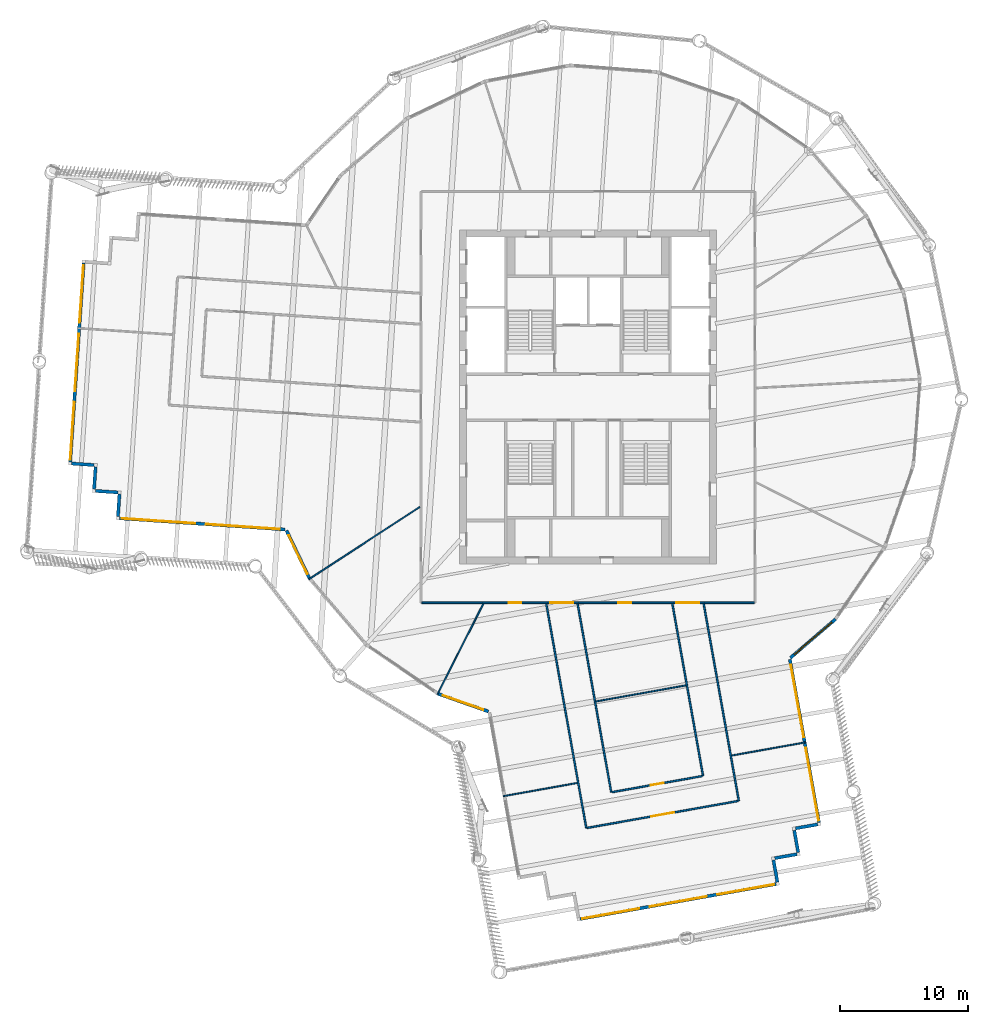
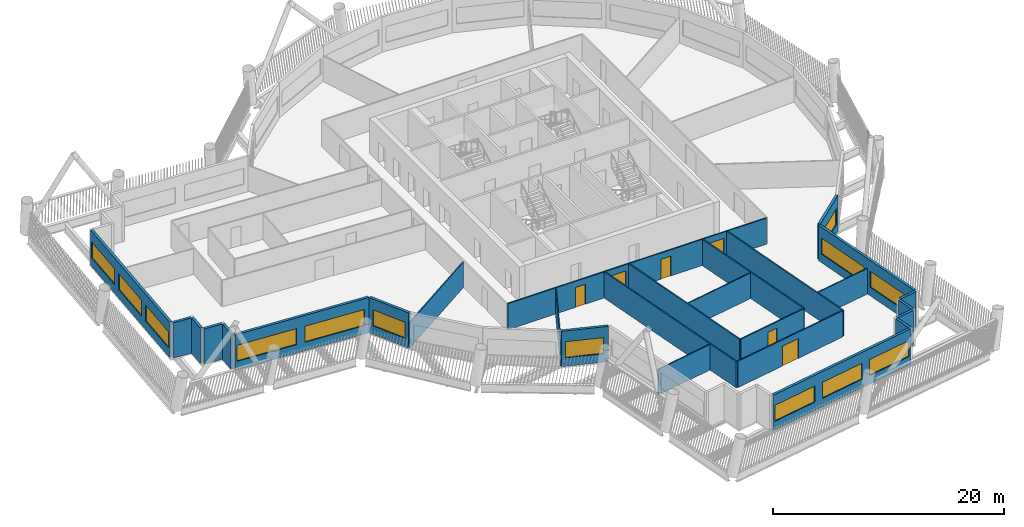
# One storey, part 3 of 22: 27 walls, 13 windows, 6 doors, 19 openings.
"""IFC4 building model written with IfcOpenShell, lengths in metres."""

from ifc_helpers import new_model, si_unit, direction, frame, frame_2d, origin, place, context, subcontext, project, spatial, rectangle, extrude, material, layer, layer_set, type_object, element, fill, save


model = new_model("IFC4")

# Units and contexts
model_context = context("Model", 3, precision=1e-05, world=origin(), true_north=direction((0.0, 1.0)))
body_context = subcontext(model_context, "Body", "Model", "MODEL_VIEW")
ifc_project = project(units=[si_unit("LENGTHUNIT", "METRE"), si_unit("AREAUNIT", "SQUARE_METRE"), si_unit("VOLUMEUNIT", "CUBIC_METRE"), si_unit("PLANEANGLEUNIT", "RADIAN"), si_unit("MASSUNIT", "GRAM", prefix="KILO")], contexts=[model_context])

# Site, building, storey
site_placement = place(None, origin())
site = spatial("IfcSite", under=ifc_project, at=site_placement, CompositionType="ELEMENT")
building_placement = place(site_placement, origin())
building = spatial("IfcBuilding", under=site, at=building_placement, Name="Tarsis Ring Headquarters", CompositionType="ELEMENT")
storey_placement = place(building_placement, frame((0.0, 0.0, 270.800048828125)))
storey = spatial("IfcBuildingStorey", under=building, at=storey_placement, Name="L63", CompositionType="ELEMENT", Elevation=270.800048828125)

# Walls
ifc_material_1 = material(Name="Gypsum board on steel studs", Category="steel")
ifc_layer_1 = layer(ifc_material_1, 0.10009765625)
ifc_layer_set_1 = layer_set([ifc_layer_1], Name="FL partition 100 unrated")
wall_type_1 = type_object("IfcWallType", Name="FL partition 100 unrated", PredefinedType="PARTITIONING", material=ifc_layer_set_1)
wall_1_placement = place(storey_placement, frame((-21.73193359375, -14.177734375, 0.0), z_axis=(0.0, 0.0, 1.0), x_axis=(0.837523569365, 0.546401199448, 0.0)))
element("IfcWall", 1, at=wall_1_placement, inside=storey, type_object=wall_type_1, Name="Partition PW3", PredefinedType="PARTITIONING", context=body_context, shape_type="SweptSolid", body=[
    extrude(rectangle(XDim=10.325927734375, YDim=0.10009765625, at=frame_2d((5.1630859375, 0.0))), origin(), (0.0, 0.0, 1.0), 2.699951171875),
])
wall_2_placement = place(storey_placement, frame((-11.731689453125, -23.144287109375, 0.0), z_axis=(0.0, 0.0, 1.0), x_axis=(0.452139110201, 0.891947434004, 0.0)))
element("IfcWall", 2, at=wall_2_placement, inside=storey, type_object=wall_type_1, Name="Partition PW3", PredefinedType="PARTITIONING", context=body_context, shape_type="SweptSolid", body=[
    extrude(rectangle(XDim=7.919677734375, YDim=0.10009765625, at=frame_2d((3.9599609375, 0.0))), origin(), (0.0, 0.0, 1.0), 2.699951171875),
])
wall_3_placement = place(storey_placement, frame((0.610595703125, -23.68115234375, 0.0), z_axis=(0.0, 0.0, 1.0), x_axis=(0.984444101198, 0.175698069472, 0.0)))
element("IfcWall", 3, at=wall_3_placement, inside=storey, type_object=wall_type_1, Name="Partition PW3", PredefinedType="PARTITIONING", context=body_context, shape_type="SweptSolid", body=[
    extrude(rectangle(XDim=7.1201171875, YDim=0.10009765625, at=frame_2d((3.56005859375, 0.0))), origin(), (0.0, 0.0, 1.0), 2.699951171875),
])
for number, where, z_axis, x_axis, name in (
    (4, (-6.596435546875, -31.05224609375, 0.0), (0.0, 0.0, 1.0), (0.98444433653, 0.175696750892, 0.0), "Partition PW3"),
    (5, (11.174560546875, -27.890380859375, 0.0), (0.0, 0.0, 1.0), (0.98444433653, 0.175696750892, 0.0), "Partition PW3"),
):
    element("IfcWall", number, at=place(storey_placement, frame(where, z_axis=z_axis, x_axis=x_axis)), inside=storey, type_object=wall_type_1, Name=name, PredefinedType="PARTITIONING", context=body_context, shape_type="SweptSolid", body=[
        extrude(rectangle(XDim=5.85009765625, YDim=0.10009765625, at=frame_2d((2.925048828125, 0.0))), origin(), (0.0, 0.0, 1.0), 2.699951171875),
    ])

# Wall, openings, doors
ifc_layer_2 = layer(ifc_material_1, 0.125)
ifc_layer_set_2 = layer_set([ifc_layer_2], Name="FL partition 125 EI 60 H2770")
wall_type_2 = type_object("IfcWallType", Name="FL partition 125 EI 60 H2770", PredefinedType="PARTITIONING", material=ifc_layer_set_2)
wall_4_placement = place(storey_placement, frame((-12.93994140625, -16.0, 0.0), z_axis=(0.0, 0.0, 1.0), x_axis=(1.0, 0.0, 0.0)))
wall_4 = element("IfcWall", 6, at=wall_4_placement, inside=storey, type_object=wall_type_2, Name="Partition PW1", PredefinedType="PARTITIONING", context=body_context, shape_type="SweptSolid", body=[
    extrude(rectangle(XDim=25.8798828125, YDim=0.125, at=frame_2d((12.93994140625, 0.0))), origin(), (0.0, 0.0, 1.0), 2.77001953125),
])
opening_1_placement = place(wall_4_placement, frame((6.75, 0.0, 0.0)))
opening_1 = element("IfcOpeningElement", 7, at=opening_1_placement, cuts=wall_4, Name="Opening D63.10", PredefinedType="OPENING", context=body_context, shape_type="SweptSolid", body=[
    extrude(rectangle(XDim=1.0, YDim=2.10009765625, at=frame_2d((0.5, 1.050048828125))), frame((0.0, 0.072509765625, 0.0), z_axis=(0.0, -1.0, 0.0), x_axis=(1.0, 0.0, 0.0)), (0.0, 0.0, 1.0), 0.14501953125),
])
opening_2_placement = place(wall_4_placement, frame((15.2958984375, 0.0, 0.0)))
opening_2 = element("IfcOpeningElement", 8, at=opening_2_placement, cuts=wall_4, Name="Opening D63.14", PredefinedType="OPENING", context=body_context, shape_type="SweptSolid", body=[
    extrude(rectangle(XDim=1.0, YDim=2.10009765625, at=frame_2d((0.5, 1.050048828125))), frame((0.0, 0.072509765625, 0.0), z_axis=(0.0, -1.0, 0.0), x_axis=(1.0, 0.0, 0.0)), (0.0, 0.0, 1.0), 0.14501953125),
])
opening_3_placement = place(wall_4_placement, frame((9.989501953125, 0.0, 0.0)))
opening_3 = element("IfcOpeningElement", 9, at=opening_3_placement, cuts=wall_4, Name="Opening D63.16", PredefinedType="OPENING", context=body_context, shape_type="SweptSolid", body=[
    extrude(rectangle(XDim=1.800048828125, YDim=2.10009765625, at=frame_2d((0.89990234375, 1.050048828125))), frame((0.0, 0.072509765625, 0.0), z_axis=(0.0, -1.0, 0.0), x_axis=(1.0, 0.0, 0.0)), (0.0, 0.0, 1.0), 0.14501953125),
])
opening_4_placement = place(wall_4_placement, frame((19.802001953125, 0.0, 0.0)))
opening_4 = element("IfcOpeningElement", 10, at=opening_4_placement, cuts=wall_4, Name="Opening D63.17", PredefinedType="OPENING", context=body_context, shape_type="SweptSolid", body=[
    extrude(rectangle(XDim=1.800048828125, YDim=2.10009765625, at=frame_2d((0.89990234375, 1.050048828125))), frame((0.0, 0.072509765625, 0.0), z_axis=(0.0, -1.0, 0.0), x_axis=(1.0, 0.0, 0.0)), (0.0, 0.0, 1.0), 0.14501953125),
])
ifc_material_2 = material(Name="Fire-rated timber door leaf in steel frame", Category="steel")
door_type_1 = type_object("IfcDoorType", Name="FL door FD60-1000", OperationType="NOTDEFINED", PredefinedType="DOOR", material=ifc_material_2)
door_1_placement = place(opening_1_placement, origin())
door_1 = element("IfcDoor", 11, at=door_1_placement, inside=storey, type_object=door_type_1, Name="Door D63.10", OperationType="SINGLE_SWING_LEFT", OverallHeight=2.10009765625, OverallWidth=1.0, PredefinedType="DOOR", context=body_context, shape_type="SweptSolid", body=[
    extrude(rectangle(XDim=1.0, YDim=2.10009765625, at=frame_2d((0.5, 1.050048828125))), frame((0.0, 0.02490234375, 0.0), z_axis=(0.0, -1.0, 0.0), x_axis=(1.0, 0.0, 0.0)), (0.0, 0.0, 1.0), 0.050048828125),
])
fill(opening_1, door_1)
door_2_placement = place(opening_2_placement, origin())
door_2 = element("IfcDoor", 12, at=door_2_placement, inside=storey, type_object=door_type_1, Name="Door D63.14", OperationType="SINGLE_SWING_LEFT", OverallHeight=2.10009765625, OverallWidth=1.0, PredefinedType="DOOR", context=body_context, shape_type="SweptSolid", body=[
    extrude(rectangle(XDim=1.0, YDim=2.10009765625, at=frame_2d((0.5, 1.050048828125))), frame((0.0, 0.02490234375, 0.0), z_axis=(0.0, -1.0, 0.0), x_axis=(1.0, 0.0, 0.0)), (0.0, 0.0, 1.0), 0.050048828125),
])
fill(opening_2, door_2)
door_type_2 = type_object("IfcDoorType", Name="FL door FD60-1800", OperationType="DOUBLE_DOOR_SINGLE_SWING", PredefinedType="DOOR", material=ifc_material_2)
door_3_placement = place(opening_3_placement, origin())
door_3 = element("IfcDoor", 13, at=door_3_placement, inside=storey, type_object=door_type_2, Name="Door D63.16", OperationType="DOUBLE_DOOR_SINGLE_SWING", OverallHeight=2.10009765625, OverallWidth=1.800048828125, PredefinedType="DOOR", context=body_context, shape_type="SweptSolid", body=[
    extrude(rectangle(XDim=1.800048828125, YDim=2.10009765625, at=frame_2d((0.89990234375, 1.050048828125))), frame((0.0, 0.02490234375, 0.0), z_axis=(0.0, -1.0, 0.0), x_axis=(1.0, 0.0, 0.0)), (0.0, 0.0, 1.0), 0.050048828125),
])
fill(opening_3, door_3)
door_4_placement = place(opening_4_placement, origin())
door_4 = element("IfcDoor", 14, at=door_4_placement, inside=storey, type_object=door_type_2, Name="Door D63.17", OperationType="DOUBLE_DOOR_SINGLE_SWING", OverallHeight=2.10009765625, OverallWidth=1.800048828125, PredefinedType="DOOR", context=body_context, shape_type="SweptSolid", body=[
    extrude(rectangle(XDim=1.800048828125, YDim=2.10009765625, at=frame_2d((0.89990234375, 1.050048828125))), frame((0.0, 0.02490234375, 0.0), z_axis=(0.0, -1.0, 0.0), x_axis=(1.0, 0.0, 0.0)), (0.0, 0.0, 1.0), 0.050048828125),
])
fill(opening_4, door_4)

# Walls
wall_5_placement = place(storey_placement, frame((-3.257080078125, -16.06884765625, 0.0), z_axis=(0.0, 0.0, 1.0), x_axis=(0.175707299203, -0.984442453883, 0.0)))
element("IfcWall", 15, at=wall_5_placement, inside=storey, type_object=wall_type_2, Name="Partition PW1", PredefinedType="PARTITIONING", context=body_context, shape_type="SweptSolid", body=[
    extrude(rectangle(XDim=17.74365234375, YDim=0.125, at=frame_2d((8.871826171875, 0.0))), origin(), (0.0, 0.0, 1.0), 2.77001953125),
])
wall_6_placement = place(storey_placement, frame((8.993408203125, -16.06884765625, 0.0), z_axis=(0.0, 0.0, 1.0), x_axis=(0.17571096803, -0.984441799049, 0.0)))
element("IfcWall", 16, at=wall_6_placement, inside=storey, type_object=wall_type_2, Name="Partition PW1", PredefinedType="PARTITIONING", context=body_context, shape_type="SweptSolid", body=[
    extrude(rectangle(XDim=15.591064453125, YDim=0.125, at=frame_2d((7.79541015625, 0.0))), origin(), (0.0, 0.0, 1.0), 2.77001953125),
])
wall_7_placement = place(storey_placement, frame((-0.8193359375, -16.06884765625, 0.0), z_axis=(0.0, 0.0, 1.0), x_axis=(0.17571698938, -0.984440724291, 0.0)))
element("IfcWall", 17, at=wall_7_placement, inside=storey, type_object=wall_type_2, Name="Partition PW1", PredefinedType="PARTITIONING", context=body_context, shape_type="SweptSolid", body=[
    extrude(rectangle(XDim=14.915283203125, YDim=0.125, at=frame_2d((7.45751953125, 0.0))), origin(), (0.0, 0.0, 1.0), 2.77001953125),
])
wall_8_placement = place(storey_placement, frame((6.555419921875, -16.06884765625, 0.0), z_axis=(0.0, 0.0, 1.0), x_axis=(0.175710602435, -0.984441864303, 0.0)))
element("IfcWall", 18, at=wall_8_placement, inside=storey, type_object=wall_type_2, Name="Partition PW1", PredefinedType="PARTITIONING", context=body_context, shape_type="SweptSolid", body=[
    extrude(rectangle(XDim=13.619384765625, YDim=0.125, at=frame_2d((6.8095703125, 0.0))), origin(), (0.0, 0.0, 1.0), 2.77001953125),
])

# Wall, opening, door
wall_9_placement = place(storey_placement, frame((-0.080322265625, -33.525634765625, 0.0), z_axis=(0.0, 0.0, 1.0), x_axis=(0.984442863146, 0.17570500619, 0.0)))
wall_9 = element("IfcWall", 19, at=wall_9_placement, inside=storey, type_object=wall_type_2, Name="Partition PW1", PredefinedType="PARTITIONING", context=body_context, shape_type="SweptSolid", body=[
    extrude(rectangle(XDim=11.93994140625, YDim=0.125, at=frame_2d((5.969970703125, 0.0))), origin(), (0.0, 0.0, 1.0), 2.77001953125),
])
opening_5_placement = place(wall_9_placement, frame((5.070068359375, 0.0, 0.0)))
opening_5 = element("IfcOpeningElement", 20, at=opening_5_placement, cuts=wall_9, Name="Opening D63.09", PredefinedType="OPENING", context=body_context, shape_type="SweptSolid", body=[
    extrude(rectangle(XDim=1.800048828125, YDim=2.10009765625, at=frame_2d((0.89990234375, 1.050048828125))), frame((0.0, 0.072509765625, 0.0), z_axis=(0.0, -1.0, 0.0), x_axis=(1.0, 0.0, 0.0)), (0.0, 0.0, 1.0), 0.14501953125),
])
door_5_placement = place(opening_5_placement, origin())
door_5 = element("IfcDoor", 21, at=door_5_placement, inside=storey, type_object=door_type_2, Name="Door D63.09", OperationType="DOUBLE_DOOR_SINGLE_SWING", OverallHeight=2.10009765625, OverallWidth=1.800048828125, PredefinedType="DOOR", context=body_context, shape_type="SweptSolid", body=[
    extrude(rectangle(XDim=1.800048828125, YDim=2.10009765625, at=frame_2d((0.89990234375, 1.050048828125))), frame((0.0, 0.02490234375, 0.0), z_axis=(0.0, -1.0, 0.0), x_axis=(1.0, 0.0, 0.0)), (0.0, 0.0, 1.0), 0.050048828125),
])
fill(opening_5, door_5)

wall_10_placement = place(storey_placement, frame((1.860595703125, -30.741455078125, 0.0), z_axis=(0.0, 0.0, 1.0), x_axis=(0.984439830477, 0.175721996833, 0.0)))
wall_10 = element("IfcWall", 22, at=wall_10_placement, inside=storey, type_object=wall_type_2, Name="Partition PW1", PredefinedType="PARTITIONING", context=body_context, shape_type="SweptSolid", body=[
    extrude(rectangle(XDim=7.139892578125, YDim=0.125, at=frame_2d((3.56982421875, 0.0))), origin(), (0.0, 0.0, 1.0), 2.77001953125),
])
opening_6_placement = place(wall_10_placement, frame((3.070068359375, 0.0, 0.0)))
opening_6 = element("IfcOpeningElement", 23, at=opening_6_placement, cuts=wall_10, Name="Opening D63.15", PredefinedType="OPENING", context=body_context, shape_type="SweptSolid", body=[
    extrude(rectangle(XDim=1.0, YDim=2.10009765625, at=frame_2d((0.5, 1.050048828125))), frame((0.0, 0.072509765625, 0.0), z_axis=(0.0, -1.0, 0.0), x_axis=(1.0, 0.0, 0.0)), (0.0, 0.0, 1.0), 0.14501953125),
])
door_6_placement = place(opening_6_placement, origin())
door_6 = element("IfcDoor", 24, at=door_6_placement, inside=storey, type_object=door_type_1, Name="Door D63.15", OperationType="SINGLE_SWING_RIGHT", OverallHeight=2.10009765625, OverallWidth=1.0, PredefinedType="DOOR", context=body_context, shape_type="SweptSolid", body=[
    extrude(rectangle(XDim=1.0, YDim=2.10009765625, at=frame_2d((0.5, 1.050048828125))), frame((0.0, 0.02490234375, 0.0), z_axis=(0.0, -1.0, 0.0), x_axis=(1.0, 0.0, 0.0)), (0.0, 0.0, 1.0), 0.050048828125),
])
fill(opening_6, door_6)

# Wall, openings, windows
ifc_material_3 = material(Name="Terracotta clad insulated panel wall", Category="masonry")
ifc_layer_3 = layer(ifc_material_3, 0.25)
ifc_layer_set_3 = layer_set([ifc_layer_3], Name="Facade wall terracotta panel 250")
wall_type_3 = type_object("IfcWallType", Name="Facade wall terracotta panel 250", PredefinedType="STANDARD", material=ifc_layer_set_3)
wall_11_placement = place(storey_placement, frame((-36.4716796875, -9.4287109375, 0.0), z_axis=(0.0, 0.0, 1.0), x_axis=(0.99770859982, -0.067657592667, 0.0)))
wall_11 = element("IfcWall", 25, at=wall_11_placement, inside=storey, type_object=wall_type_3, Name="External wall L63-01", PredefinedType="STANDARD", context=body_context, shape_type="SweptSolid", body=[
    extrude(rectangle(XDim=12.921875, YDim=0.25, at=frame_2d((6.4609375, 0.0))), origin(), (0.0, 0.0, 1.0), 3.739990234375),
])
opening_7_placement = place(wall_11_placement, frame((0.16796875, 0.0, 0.89990234375)))
opening_7 = element("IfcOpeningElement", 26, at=opening_7_placement, cuts=wall_11, Name="Opening WN06", PredefinedType="OPENING", context=body_context, shape_type="SweptSolid", body=[
    extrude(rectangle(XDim=5.75, YDim=1.699951171875, at=frame_2d((2.875, 0.85009765625))), frame((0.0, 0.135009765625, 0.0), z_axis=(0.0, -1.0, 0.0), x_axis=(1.0, 0.0, 0.0)), (0.0, 0.0, 1.0), 0.27001953125),
])
opening_8_placement = place(wall_11_placement, frame((6.75390625, 0.0, 0.89990234375)))
opening_8 = element("IfcOpeningElement", 27, at=opening_8_placement, cuts=wall_11, Name="Opening WN06", PredefinedType="OPENING", context=body_context, shape_type="SweptSolid", body=[
    extrude(rectangle(XDim=5.75, YDim=1.699951171875, at=frame_2d((2.875, 0.85009765625))), frame((0.0, 0.135009765625, 0.0), z_axis=(0.0, -1.0, 0.0), x_axis=(1.0, 0.0, 0.0)), (0.0, 0.0, 1.0), 0.27001953125),
])
ifc_material_4 = material(Name="Aluminium framed double glazing", Category="aluminium")
window_type_1 = type_object("IfcWindowType", Name="Facade window 5750 x 1700", PartitioningType="SINGLE_PANEL", PredefinedType="WINDOW", material=ifc_material_4)
window_1_placement = place(opening_7_placement, origin())
window_1 = element("IfcWindow", 28, at=window_1_placement, inside=storey, type_object=window_type_1, Name="Window L63-01.1", OverallHeight=1.699951171875, OverallWidth=5.75, PartitioningType="SINGLE_PANEL", PredefinedType="WINDOW", context=body_context, shape_type="SweptSolid", body=[
    extrude(rectangle(XDim=5.75, YDim=1.699951171875, at=frame_2d((2.875, 0.85009765625))), frame((0.0, 0.030029296875, 0.0), z_axis=(0.0, -1.0, 0.0), x_axis=(1.0, 0.0, 0.0)), (0.0, 0.0, 1.0), 0.06005859375),
])
fill(opening_7, window_1)
window_2_placement = place(opening_8_placement, origin())
window_2 = element("IfcWindow", 29, at=window_2_placement, inside=storey, type_object=window_type_1, Name="Window L63-01.2", OverallHeight=1.699951171875, OverallWidth=5.75, PartitioningType="SINGLE_PANEL", PredefinedType="WINDOW", context=body_context, shape_type="SweptSolid", body=[
    extrude(rectangle(XDim=5.75, YDim=1.699951171875, at=frame_2d((2.875, 0.85009765625))), frame((0.0, 0.030029296875, 0.0), z_axis=(0.0, -1.0, 0.0), x_axis=(1.0, 0.0, 0.0)), (0.0, 0.0, 1.0), 0.06005859375),
])
fill(opening_8, window_2)

# Wall, opening, window
wall_12_placement = place(storey_placement, frame((-23.47509765625, -10.373779296875, 0.0), z_axis=(0.0, 0.0, 1.0), x_axis=(0.432425598981, -0.901669618733, 0.0)))
wall_12 = element("IfcWall", 30, at=wall_12_placement, inside=storey, type_object=wall_type_3, Name="External wall L63-02", PredefinedType="STANDARD", context=body_context, shape_type="SweptSolid", body=[
    extrude(rectangle(XDim=4.15771484375, YDim=0.25, at=frame_2d((2.078857421875, 0.0))), origin(), (0.0, 0.0, 1.0), 3.739990234375),
])
opening_9_placement = place(wall_12_placement, frame((0.420166015625, 0.0, 0.89990234375)))
opening_9 = element("IfcOpeningElement", 31, at=opening_9_placement, cuts=wall_12, Name="Opening WN01", PredefinedType="OPENING", context=body_context, shape_type="SweptSolid", body=[
    extrude(rectangle(XDim=3.35009765625, YDim=1.699951171875, at=frame_2d((1.675048828125, 0.85009765625))), frame((0.0, 0.135009765625, 0.0), z_axis=(0.0, -1.0, 0.0), x_axis=(1.0, 0.0, 0.0)), (0.0, 0.0, 1.0), 0.27001953125),
])
window_type_2 = type_object("IfcWindowType", Name="Facade window 3350 x 1700", PartitioningType="SINGLE_PANEL", PredefinedType="WINDOW", material=ifc_material_4)
window_3_placement = place(opening_9_placement, origin())
window_3 = element("IfcWindow", 32, at=window_3_placement, inside=storey, type_object=window_type_2, Name="Window L63-02.1", OverallHeight=1.699951171875, OverallWidth=3.35009765625, PartitioningType="SINGLE_PANEL", PredefinedType="WINDOW", context=body_context, shape_type="SweptSolid", body=[
    extrude(rectangle(XDim=3.35009765625, YDim=1.699951171875, at=frame_2d((1.675048828125, 0.85009765625))), frame((0.0, 0.030029296875, 0.0), z_axis=(0.0, -1.0, 0.0), x_axis=(1.0, 0.0, 0.0)), (0.0, 0.0, 1.0), 0.06005859375),
])
fill(opening_9, window_3)

wall_13_placement = place(storey_placement, frame((-11.6826171875, -23.083740234375, 0.0), z_axis=(0.0, 0.0, 1.0), x_axis=(0.943333498549, -0.331846215158, 0.0)))
wall_13 = element("IfcWall", 33, at=wall_13_placement, inside=storey, type_object=wall_type_3, Name="External wall L63-05", PredefinedType="STANDARD", context=body_context, shape_type="SweptSolid", body=[
    extrude(rectangle(XDim=4.157470703125, YDim=0.25, at=frame_2d((2.07861328125, 0.0))), origin(), (0.0, 0.0, 1.0), 3.739990234375),
])
opening_10_placement = place(wall_13_placement, frame((0.38720703125, 0.0, 0.89990234375)))
opening_10 = element("IfcOpeningElement", 34, at=opening_10_placement, cuts=wall_13, Name="Opening WN01", PredefinedType="OPENING", context=body_context, shape_type="SweptSolid", body=[
    extrude(rectangle(XDim=3.35009765625, YDim=1.699951171875, at=frame_2d((1.675048828125, 0.85009765625))), frame((0.0, 0.135009765625, 0.0), z_axis=(0.0, -1.0, 0.0), x_axis=(1.0, 0.0, 0.0)), (0.0, 0.0, 1.0), 0.27001953125),
])
window_4_placement = place(opening_10_placement, origin())
window_4 = element("IfcWindow", 35, at=window_4_placement, inside=storey, type_object=window_type_2, Name="Window L63-05.1", OverallHeight=1.699951171875, OverallWidth=3.35009765625, PartitioningType="SINGLE_PANEL", PredefinedType="WINDOW", context=body_context, shape_type="SweptSolid", body=[
    extrude(rectangle(XDim=3.35009765625, YDim=1.699951171875, at=frame_2d((1.675048828125, 0.85009765625))), frame((0.0, 0.030029296875, 0.0), z_axis=(0.0, -1.0, 0.0), x_axis=(1.0, 0.0, 0.0)), (0.0, 0.0, 1.0), 0.06005859375),
])
fill(opening_10, window_4)

# Wall, openings, windows
wall_14_placement = place(storey_placement, frame((-0.623046875, -40.616455078125, 0.0), z_axis=(0.0, 0.0, 1.0), x_axis=(0.984440909264, 0.175715953085, 0.0)))
wall_14 = element("IfcWall", 36, at=wall_14_placement, inside=storey, type_object=wall_type_3, Name="External wall L63-11", PredefinedType="STANDARD", context=body_context, shape_type="SweptSolid", body=[
    extrude(rectangle(XDim=15.500244140625, YDim=0.25, at=frame_2d((7.75, 0.0))), origin(), (0.0, 0.0, 1.0), 3.739990234375),
])
opening_11_placement = place(wall_14_placement, frame((0.166748046875, 0.0, 0.89990234375)))
opening_11 = element("IfcOpeningElement", 37, at=opening_11_placement, cuts=wall_14, Name="Opening WN04", PredefinedType="OPENING", context=body_context, shape_type="SweptSolid", body=[
    extrude(rectangle(XDim=4.5, YDim=1.699951171875, at=frame_2d((2.25, 0.85009765625))), frame((0.0, 0.135009765625, 0.0), z_axis=(0.0, -1.0, 0.0), x_axis=(1.0, 0.0, 0.0)), (0.0, 0.0, 1.0), 0.27001953125),
])
opening_12_placement = place(wall_14_placement, frame((5.5, 0.0, 0.89990234375)))
opening_12 = element("IfcOpeningElement", 38, at=opening_12_placement, cuts=wall_14, Name="Opening WN04", PredefinedType="OPENING", context=body_context, shape_type="SweptSolid", body=[
    extrude(rectangle(XDim=4.5, YDim=1.699951171875, at=frame_2d((2.25, 0.85009765625))), frame((0.0, 0.135009765625, 0.0), z_axis=(0.0, -1.0, 0.0), x_axis=(1.0, 0.0, 0.0)), (0.0, 0.0, 1.0), 0.27001953125),
])
opening_13_placement = place(wall_14_placement, frame((10.833251953125, 0.0, 0.89990234375)))
opening_13 = element("IfcOpeningElement", 39, at=opening_13_placement, cuts=wall_14, Name="Opening WN04", PredefinedType="OPENING", context=body_context, shape_type="SweptSolid", body=[
    extrude(rectangle(XDim=4.5, YDim=1.699951171875, at=frame_2d((2.25, 0.85009765625))), frame((0.0, 0.135009765625, 0.0), z_axis=(0.0, -1.0, 0.0), x_axis=(1.0, 0.0, 0.0)), (0.0, 0.0, 1.0), 0.27001953125),
])
window_type_3 = type_object("IfcWindowType", Name="Facade window 4500 x 1700", PartitioningType="SINGLE_PANEL", PredefinedType="WINDOW", material=ifc_material_4)
window_5_placement = place(opening_11_placement, origin())
window_5 = element("IfcWindow", 40, at=window_5_placement, inside=storey, type_object=window_type_3, Name="Window L63-11.1", OverallHeight=1.699951171875, OverallWidth=4.5, PartitioningType="SINGLE_PANEL", PredefinedType="WINDOW", context=body_context, shape_type="SweptSolid", body=[
    extrude(rectangle(XDim=4.5, YDim=1.699951171875, at=frame_2d((2.25, 0.85009765625))), frame((0.0, 0.030029296875, 0.0), z_axis=(0.0, -1.0, 0.0), x_axis=(1.0, 0.0, 0.0)), (0.0, 0.0, 1.0), 0.06005859375),
])
fill(opening_11, window_5)
window_6_placement = place(opening_12_placement, origin())
window_6 = element("IfcWindow", 41, at=window_6_placement, inside=storey, type_object=window_type_3, Name="Window L63-11.2", OverallHeight=1.699951171875, OverallWidth=4.5, PartitioningType="SINGLE_PANEL", PredefinedType="WINDOW", context=body_context, shape_type="SweptSolid", body=[
    extrude(rectangle(XDim=4.5, YDim=1.699951171875, at=frame_2d((2.25, 0.85009765625))), frame((0.0, 0.030029296875, 0.0), z_axis=(0.0, -1.0, 0.0), x_axis=(1.0, 0.0, 0.0)), (0.0, 0.0, 1.0), 0.06005859375),
])
fill(opening_12, window_6)
window_7_placement = place(opening_13_placement, origin())
window_7 = element("IfcWindow", 42, at=window_7_placement, inside=storey, type_object=window_type_3, Name="Window L63-11.3", OverallHeight=1.699951171875, OverallWidth=4.5, PartitioningType="SINGLE_PANEL", PredefinedType="WINDOW", context=body_context, shape_type="SweptSolid", body=[
    extrude(rectangle(XDim=4.5, YDim=1.699951171875, at=frame_2d((2.25, 0.85009765625))), frame((0.0, 0.030029296875, 0.0), z_axis=(0.0, -1.0, 0.0), x_axis=(1.0, 0.0, 0.0)), (0.0, 0.0, 1.0), 0.06005859375),
])
fill(opening_13, window_7)

# Walls
wall_15_placement = place(storey_placement, frame((14.737060546875, -37.747802734375, 0.0), z_axis=(0.0, 0.0, 1.0), x_axis=(-0.175790638484, 0.984427575508, 0.0)))
element("IfcWall", 43, at=wall_15_placement, inside=storey, type_object=wall_type_3, Name="External wall L63-12", PredefinedType="STANDARD", context=body_context, shape_type="SweptSolid", body=[
    extrude(rectangle(XDim=1.75, YDim=0.25, at=frame_2d((0.875, 0.0))), origin(), (0.0, 0.0, 1.0), 3.739990234375),
])
wall_16_placement = place(storey_placement, frame((14.530517578125, -35.880126953125, 0.0), z_axis=(0.0, 0.0, 1.0), x_axis=(0.984431886004, 0.175766497997, 0.0)))
element("IfcWall", 44, at=wall_16_placement, inside=storey, type_object=wall_type_3, Name="External wall L63-13", PredefinedType="STANDARD", context=body_context, shape_type="SweptSolid", body=[
    extrude(rectangle(XDim=1.750244140625, YDim=0.25, at=frame_2d((0.875, 0.0))), origin(), (0.0, 0.0, 1.0), 3.739990234375),
])
wall_17_placement = place(storey_placement, frame((16.3544921875, -35.427490234375, 0.0), z_axis=(0.0, 0.0, 1.0), x_axis=(-0.175790638484, 0.984427575508, 0.0)))
element("IfcWall", 45, at=wall_17_placement, inside=storey, type_object=wall_type_3, Name="External wall L63-14", PredefinedType="STANDARD", context=body_context, shape_type="SweptSolid", body=[
    extrude(rectangle(XDim=1.75, YDim=0.25, at=frame_2d((0.875, 0.0))), origin(), (0.0, 0.0, 1.0), 3.739990234375),
])
wall_18_placement = place(storey_placement, frame((16.14794921875, -33.559814453125, 0.0), z_axis=(0.0, 0.0, 1.0), x_axis=(0.984431886004, 0.175766497997, 0.0)))
element("IfcWall", 46, at=wall_18_placement, inside=storey, type_object=wall_type_3, Name="External wall L63-15", PredefinedType="STANDARD", context=body_context, shape_type="SweptSolid", body=[
    extrude(rectangle(XDim=1.750244140625, YDim=0.25, at=frame_2d((0.875, 0.0))), origin(), (0.0, 0.0, 1.0), 3.739990234375),
])

# Wall, openings, windows
wall_19_placement = place(storey_placement, frame((17.971923828125, -33.107177734375, 0.0), z_axis=(0.0, 0.0, 1.0), x_axis=(-0.175708766697, 0.984442191957, 0.0)))
wall_19 = element("IfcWall", 47, at=wall_19_placement, inside=storey, type_object=wall_type_3, Name="External wall L63-16", PredefinedType="STANDARD", context=body_context, shape_type="SweptSolid", body=[
    extrude(rectangle(XDim=12.901123046875, YDim=0.25, at=frame_2d((6.45068359375, 0.0))), origin(), (0.0, 0.0, 1.0), 3.739990234375),
])
opening_14_placement = place(wall_19_placement, frame((0.162841796875, 0.0, 0.89990234375)))
opening_14 = element("IfcOpeningElement", 48, at=opening_14_placement, cuts=wall_19, Name="Opening WN06", PredefinedType="OPENING", context=body_context, shape_type="SweptSolid", body=[
    extrude(rectangle(XDim=5.75, YDim=1.699951171875, at=frame_2d((2.875, 0.85009765625))), frame((0.0, 0.135009765625, 0.0), z_axis=(0.0, -1.0, 0.0), x_axis=(1.0, 0.0, 0.0)), (0.0, 0.0, 1.0), 0.27001953125),
])
opening_15_placement = place(wall_19_placement, frame((6.738525390625, 0.0, 0.89990234375)))
opening_15 = element("IfcOpeningElement", 49, at=opening_15_placement, cuts=wall_19, Name="Opening WN06", PredefinedType="OPENING", context=body_context, shape_type="SweptSolid", body=[
    extrude(rectangle(XDim=5.75, YDim=1.699951171875, at=frame_2d((2.875, 0.85009765625))), frame((0.0, 0.135009765625, 0.0), z_axis=(0.0, -1.0, 0.0), x_axis=(1.0, 0.0, 0.0)), (0.0, 0.0, 1.0), 0.27001953125),
])
window_8_placement = place(opening_14_placement, origin())
window_8 = element("IfcWindow", 50, at=window_8_placement, inside=storey, type_object=window_type_1, Name="Window L63-16.1", OverallHeight=1.699951171875, OverallWidth=5.75, PartitioningType="SINGLE_PANEL", PredefinedType="WINDOW", context=body_context, shape_type="SweptSolid", body=[
    extrude(rectangle(XDim=5.75, YDim=1.699951171875, at=frame_2d((2.875, 0.85009765625))), frame((0.0, 0.030029296875, 0.0), z_axis=(0.0, -1.0, 0.0), x_axis=(1.0, 0.0, 0.0)), (0.0, 0.0, 1.0), 0.06005859375),
])
fill(opening_14, window_8)
window_9_placement = place(opening_15_placement, origin())
window_9 = element("IfcWindow", 51, at=window_9_placement, inside=storey, type_object=window_type_1, Name="Window L63-16.2", OverallHeight=1.699951171875, OverallWidth=5.75, PartitioningType="SINGLE_PANEL", PredefinedType="WINDOW", context=body_context, shape_type="SweptSolid", body=[
    extrude(rectangle(XDim=5.75, YDim=1.699951171875, at=frame_2d((2.875, 0.85009765625))), frame((0.0, 0.030029296875, 0.0), z_axis=(0.0, -1.0, 0.0), x_axis=(1.0, 0.0, 0.0)), (0.0, 0.0, 1.0), 0.06005859375),
])
fill(opening_15, window_9)

# Wall, opening, window
wall_20_placement = place(storey_placement, frame((15.74658203125, -20.289794921875, 0.0), z_axis=(0.0, 0.0, 1.0), x_axis=(0.759047573148, 0.651035161645, 0.0)))
wall_20 = element("IfcWall", 52, at=wall_20_placement, inside=storey, type_object=wall_type_3, Name="External wall L63-17", PredefinedType="STANDARD", context=body_context, shape_type="SweptSolid", body=[
    extrude(rectangle(XDim=4.61767578125, YDim=0.25, at=frame_2d((2.308837890625, 0.0))), origin(), (0.0, 0.0, 1.0), 3.739990234375),
])
opening_16_placement = place(wall_20_placement, frame((0.400390625, 0.0, 0.89990234375)))
opening_16 = element("IfcOpeningElement", 53, at=opening_16_placement, cuts=wall_20, Name="Opening WN02", PredefinedType="OPENING", context=body_context, shape_type="SweptSolid", body=[
    extrude(rectangle(XDim=3.85009765625, YDim=1.699951171875, at=frame_2d((1.925048828125, 0.85009765625))), frame((0.0, 0.135009765625, 0.0), z_axis=(0.0, -1.0, 0.0), x_axis=(1.0, 0.0, 0.0)), (0.0, 0.0, 1.0), 0.27001953125),
])
window_type_4 = type_object("IfcWindowType", Name="Facade window 3850 x 1700", PartitioningType="SINGLE_PANEL", PredefinedType="WINDOW", material=ifc_material_4)
window_10_placement = place(opening_16_placement, origin())
window_10 = element("IfcWindow", 54, at=window_10_placement, inside=storey, type_object=window_type_4, Name="Window L63-17.1", OverallHeight=1.699951171875, OverallWidth=3.85009765625, PartitioningType="SINGLE_PANEL", PredefinedType="WINDOW", context=body_context, shape_type="SweptSolid", body=[
    extrude(rectangle(XDim=3.85009765625, YDim=1.699951171875, at=frame_2d((1.925048828125, 0.85009765625))), frame((0.0, 0.030029296875, 0.0), z_axis=(0.0, -1.0, 0.0), x_axis=(1.0, 0.0, 0.0)), (0.0, 0.0, 1.0), 0.06005859375),
])
fill(opening_16, window_10)

# Wall, openings, windows
wall_21_placement = place(storey_placement, frame((-39.25927734375, 10.430419921875, 0.0), z_axis=(0.0, 0.0, 1.0), x_axis=(-0.067666847408, -0.997707972185, 0.0)))
wall_21 = element("IfcWall", 55, at=wall_21_placement, inside=storey, type_object=wall_type_3, Name="External wall L63-36", PredefinedType="STANDARD", context=body_context, shape_type="SweptSolid", body=[
    extrude(rectangle(XDim=15.5, YDim=0.25, at=frame_2d((7.75, 0.0))), origin(), (0.0, 0.0, 1.0), 3.739990234375),
])
opening_17_placement = place(wall_21_placement, frame((0.166748046875, 0.0, 0.89990234375)))
opening_17 = element("IfcOpeningElement", 56, at=opening_17_placement, cuts=wall_21, Name="Opening WN04", PredefinedType="OPENING", context=body_context, shape_type="SweptSolid", body=[
    extrude(rectangle(XDim=4.5, YDim=1.699951171875, at=frame_2d((2.25, 0.85009765625))), frame((0.0, 0.135009765625, 0.0), z_axis=(0.0, -1.0, 0.0), x_axis=(1.0, 0.0, 0.0)), (0.0, 0.0, 1.0), 0.27001953125),
])
opening_18_placement = place(wall_21_placement, frame((5.5, 0.0, 0.89990234375)))
opening_18 = element("IfcOpeningElement", 57, at=opening_18_placement, cuts=wall_21, Name="Opening WN04", PredefinedType="OPENING", context=body_context, shape_type="SweptSolid", body=[
    extrude(rectangle(XDim=4.5, YDim=1.699951171875, at=frame_2d((2.25, 0.85009765625))), frame((0.0, 0.135009765625, 0.0), z_axis=(0.0, -1.0, 0.0), x_axis=(1.0, 0.0, 0.0)), (0.0, 0.0, 1.0), 0.27001953125),
])
opening_19_placement = place(wall_21_placement, frame((10.833251953125, 0.0, 0.89990234375)))
opening_19 = element("IfcOpeningElement", 58, at=opening_19_placement, cuts=wall_21, Name="Opening WN04", PredefinedType="OPENING", context=body_context, shape_type="SweptSolid", body=[
    extrude(rectangle(XDim=4.5, YDim=1.699951171875, at=frame_2d((2.25, 0.85009765625))), frame((0.0, 0.135009765625, 0.0), z_axis=(0.0, -1.0, 0.0), x_axis=(1.0, 0.0, 0.0)), (0.0, 0.0, 1.0), 0.27001953125),
])
window_11_placement = place(opening_17_placement, origin())
window_11 = element("IfcWindow", 59, at=window_11_placement, inside=storey, type_object=window_type_3, Name="Window L63-36.1", OverallHeight=1.699951171875, OverallWidth=4.5, PartitioningType="SINGLE_PANEL", PredefinedType="WINDOW", context=body_context, shape_type="SweptSolid", body=[
    extrude(rectangle(XDim=4.5, YDim=1.699951171875, at=frame_2d((2.25, 0.85009765625))), frame((0.0, 0.030029296875, 0.0), z_axis=(0.0, -1.0, 0.0), x_axis=(1.0, 0.0, 0.0)), (0.0, 0.0, 1.0), 0.06005859375),
])
fill(opening_17, window_11)
window_12_placement = place(opening_18_placement, origin())
window_12 = element("IfcWindow", 60, at=window_12_placement, inside=storey, type_object=window_type_3, Name="Window L63-36.2", OverallHeight=1.699951171875, OverallWidth=4.5, PartitioningType="SINGLE_PANEL", PredefinedType="WINDOW", context=body_context, shape_type="SweptSolid", body=[
    extrude(rectangle(XDim=4.5, YDim=1.699951171875, at=frame_2d((2.25, 0.85009765625))), frame((0.0, 0.030029296875, 0.0), z_axis=(0.0, -1.0, 0.0), x_axis=(1.0, 0.0, 0.0)), (0.0, 0.0, 1.0), 0.06005859375),
])
fill(opening_18, window_12)
window_13_placement = place(opening_19_placement, origin())
window_13 = element("IfcWindow", 61, at=window_13_placement, inside=storey, type_object=window_type_3, Name="Window L63-36.3", OverallHeight=1.699951171875, OverallWidth=4.5, PartitioningType="SINGLE_PANEL", PredefinedType="WINDOW", context=body_context, shape_type="SweptSolid", body=[
    extrude(rectangle(XDim=4.5, YDim=1.699951171875, at=frame_2d((2.25, 0.85009765625))), frame((0.0, 0.030029296875, 0.0), z_axis=(0.0, -1.0, 0.0), x_axis=(1.0, 0.0, 0.0)), (0.0, 0.0, 1.0), 0.06005859375),
])
fill(opening_19, window_13)

# Walls
wall_22_placement = place(storey_placement, frame((-40.191650390625, -5.167236328125, 0.0), z_axis=(0.0, 0.0, 1.0), x_axis=(0.997707946311, -0.067667228914, 0.0)))
element("IfcWall", 62, at=wall_22_placement, inside=storey, type_object=wall_type_3, Name="External wall L63-37", PredefinedType="STANDARD", context=body_context, shape_type="SweptSolid", body=[
    extrude(rectangle(XDim=1.749755859375, YDim=0.25, at=frame_2d((0.875, 0.0))), origin(), (0.0, 0.0, 1.0), 3.739990234375),
])
for number, where, z_axis, x_axis, name in (
    (63, (-38.32958984375, -5.418701171875, 0.0), (0.0, 0.0, 1.0), (-0.067657810925, -0.997708585019, 0.0), "External wall L63-38"),
    (64, (-38.331787109375, -7.2978515625, 0.0), (0.0, 0.0, 1.0), (0.997708585019, -0.067657810925, 0.0), "External wall L63-39"),
):
    element("IfcWall", number, at=place(storey_placement, frame(where, z_axis=z_axis, x_axis=x_axis)), inside=storey, type_object=wall_type_3, Name=name, PredefinedType="STANDARD", context=body_context, shape_type="SweptSolid", body=[
        extrude(rectangle(XDim=1.75, YDim=0.25, at=frame_2d((0.875, 0.0))), origin(), (0.0, 0.0, 1.0), 3.739990234375),
    ])
wall_23_placement = place(storey_placement, frame((-36.469482421875, -7.549560546875, 0.0), z_axis=(0.0, 0.0, 1.0), x_axis=(-0.067667228914, -0.997707946311, 0.0)))
element("IfcWall", 65, at=wall_23_placement, inside=storey, type_object=wall_type_3, Name="External wall L63-40", PredefinedType="STANDARD", context=body_context, shape_type="SweptSolid", body=[
    extrude(rectangle(XDim=1.749755859375, YDim=0.25, at=frame_2d((0.875, 0.0))), origin(), (0.0, 0.0, 1.0), 3.739990234375),
])

save(model, "model.ifc")
